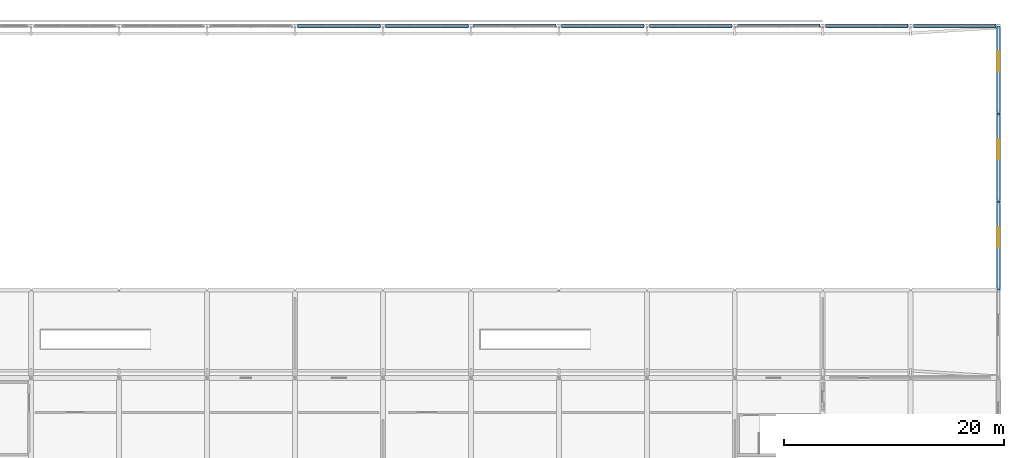
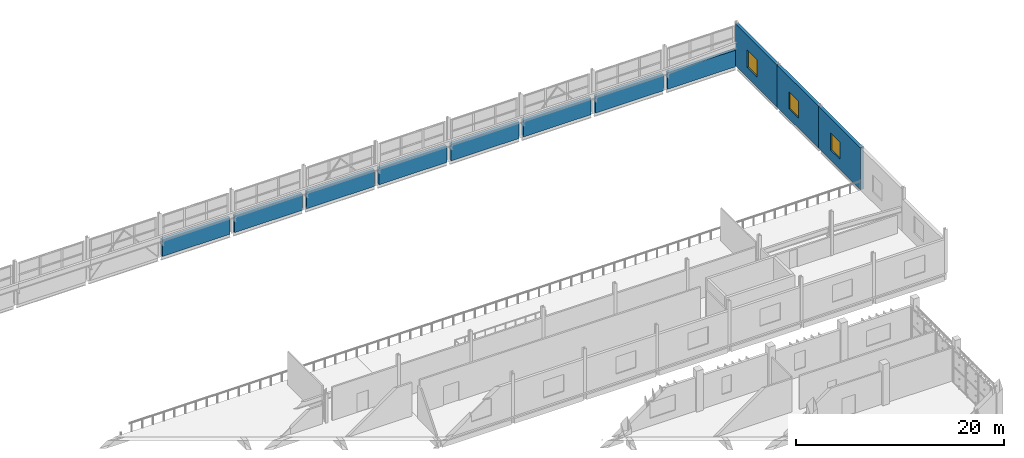
# One storey, part 92 of 106: 11 walls, 3 windows, 3 openings.
"""IFC4 building model written with IfcOpenShell, lengths in metres."""

from ifc_helpers import new_model, si_unit, direction, frame, frame_2d, origin, place, context, subcontext, project, spatial, rectangle, extrude, material, layer, layer_set, type_object, element, fill, save


model = new_model("IFC4")

# Units and contexts
model_context = context("Model", 3, precision=1e-05, world=origin(), true_north=direction((0.0, 1.0)))
body_context = subcontext(model_context, "Body", "Model", "MODEL_VIEW")
ifc_project = project(units=[si_unit("LENGTHUNIT", "METRE"), si_unit("AREAUNIT", "SQUARE_METRE"), si_unit("VOLUMEUNIT", "CUBIC_METRE"), si_unit("PLANEANGLEUNIT", "RADIAN"), si_unit("MASSUNIT", "GRAM", prefix="KILO")], contexts=[model_context])

# Site, building, storey
site_placement = place(None, origin())
site = spatial("IfcSite", under=ifc_project, at=site_placement, CompositionType="ELEMENT")
building_placement = place(site_placement, origin())
building = spatial("IfcBuilding", under=site, at=building_placement, Name="Jelvoka-Kovrelna Polytechnic", CompositionType="ELEMENT")
storey_placement = place(building_placement, frame((0.0, 0.0, 4.800048828125)))
storey = spatial("IfcBuildingStorey", under=building, at=storey_placement, Name="L02", CompositionType="ELEMENT", Elevation=4.800048828125)

# Walls
ifc_material_1 = material(Name="Precast concrete C40/50", Category="concrete")
ifc_layer = layer(ifc_material_1, 0.340087890625)
ifc_layer_set = layer_set([ifc_layer], Name="Precast concrete C40/50")
wall_type = type_object("IfcWallType", Name="Wall_Ext_Workshop_340", PredefinedType="STANDARD", material=ifc_layer_set)
for number, where, z_axis, x_axis, name in (
    (1, (136.239990234375, 120.0, 0.0), (0.0, 0.0, 1.0), (1.0, 0.0, 0.0), "L02 exterior wall 0906"),
    (2, (144.239990234375, 120.0, 0.0), (0.0, 0.0, 1.0), (1.0, 0.0, 0.0), "L02 exterior wall 0907"),
    (3, (152.239990234375, 120.0, 0.0), (0.0, 0.0, 1.0), (1.0, 0.0, 0.0), "L02 exterior wall 0908"),
    (4, (160.239990234375, 120.0, 0.0), (0.0, 0.0, 1.0), (1.0, 0.0, 0.0), "L02 exterior wall 0909"),
    (5, (168.239990234375, 120.0, 0.0), (0.0, 0.0, 1.0), (1.0, 0.0, 0.0), "L02 exterior wall 0910"),
    (6, (176.239990234375, 120.0, 0.0), (0.0, 0.0, 1.0), (1.0, 0.0, 0.0), "L02 exterior wall 0911"),
    (7, (184.239990234375, 120.0, 0.0), (0.0, 0.0, 1.0), (1.0, 0.0, 0.0), "L02 exterior wall 0912"),
    (8, (192.239990234375, 120.0, 0.0), (0.0, 0.0, 1.0), (1.0, 0.0, 0.0), "L02 exterior wall 0913"),
):
    element("IfcWall", number, at=place(storey_placement, frame(where, z_axis=z_axis, x_axis=x_axis)), inside=storey, type_object=wall_type, Name=name, PredefinedType="PARAPET", context=body_context, shape_type="SweptSolid", body=[
        extrude(rectangle(XDim=7.52001953125, YDim=0.340087890625, at=frame_2d((3.760009765625, 0.0))), origin(), (0.0, 0.0, 1.0), 1.949951171875),
    ])

# Wall, opening, window
wall_1_placement = place(storey_placement, frame((200.0, 103.99609375, 0.0), z_axis=(0.0, 0.0, 1.0), x_axis=(0.0, -1.0, 0.0)))
wall_1 = element("IfcWall", 9, at=wall_1_placement, inside=storey, type_object=wall_type, Name="L02 exterior wall 0916", PredefinedType="STANDARD", context=body_context, shape_type="SweptSolid", body=[
    extrude(rectangle(XDim=7.9921875, YDim=0.340087890625, at=frame_2d((3.99609375, 0.0))), origin(), (0.0, 0.0, 1.0), 4.919921875),
])
opening_1_placement = place(wall_1_placement, frame((2.27587890625, 0.0, 1.199951171875)))
opening_1 = element("IfcOpeningElement", 10, at=opening_1_placement, cuts=wall_1, Name="Opening W-L02-517", PredefinedType="OPENING", context=body_context, shape_type="SweptSolid", body=[
    extrude(rectangle(XDim=1.85009765625, YDim=2.0, at=frame_2d((0.925048828125, 1.0))), frame((0.0, 0.179931640625, 0.0), z_axis=(0.0, -1.0, 0.0), x_axis=(1.0, 0.0, 0.0)), (0.0, 0.0, 1.0), 0.360107421875),
])
ifc_material_2 = material(Name="Thermally broken anodised aluminium and low-e glazing", Category="aluminium")
window_type = type_object("IfcWindowType", Name="Win_Casement_W55", PartitioningType="DOUBLE_PANEL_VERTICAL", PredefinedType="WINDOW", material=ifc_material_2)
window_1_placement = place(opening_1_placement, origin())
window_1 = element("IfcWindow", 11, at=window_1_placement, inside=storey, type_object=window_type, Name="L02 aluminium casement window W-L02-517", OverallHeight=2.0, OverallWidth=1.85009765625, PartitioningType="DOUBLE_PANEL_VERTICAL", PredefinedType="WINDOW", context=body_context, shape_type="SweptSolid", body=[
    extrude(rectangle(XDim=1.85009765625, YDim=2.0, at=frame_2d((0.925048828125, 1.0))), frame((0.0, 0.030029296875, 0.0), z_axis=(0.0, -1.0, 0.0), x_axis=(1.0, 0.0, 0.0)), (0.0, 0.0, 1.0), 0.06005859375),
])
fill(opening_1, window_1)

wall_2_placement = place(storey_placement, frame((200.0, 111.99609375, 0.0), z_axis=(0.0, 0.0, 1.0), x_axis=(0.0, -1.0, 0.0)))
wall_2 = element("IfcWall", 12, at=wall_2_placement, inside=storey, type_object=wall_type, Name="L02 exterior wall 0917", PredefinedType="STANDARD", context=body_context, shape_type="SweptSolid", body=[
    extrude(rectangle(XDim=7.9921875, YDim=0.340087890625, at=frame_2d((3.99609375, 0.0))), origin(), (0.0, 0.0, 1.0), 4.919921875),
])
opening_2_placement = place(wall_2_placement, frame((2.27587890625, 0.0, 1.199951171875)))
opening_2 = element("IfcOpeningElement", 13, at=opening_2_placement, cuts=wall_2, Name="Opening W-L02-518", PredefinedType="OPENING", context=body_context, shape_type="SweptSolid", body=[
    extrude(rectangle(XDim=1.85009765625, YDim=2.0, at=frame_2d((0.925048828125, 1.0))), frame((0.0, 0.179931640625, 0.0), z_axis=(0.0, -1.0, 0.0), x_axis=(1.0, 0.0, 0.0)), (0.0, 0.0, 1.0), 0.360107421875),
])
window_2_placement = place(opening_2_placement, origin())
window_2 = element("IfcWindow", 14, at=window_2_placement, inside=storey, type_object=window_type, Name="L02 aluminium casement window W-L02-518", OverallHeight=2.0, OverallWidth=1.85009765625, PartitioningType="DOUBLE_PANEL_VERTICAL", PredefinedType="WINDOW", context=body_context, shape_type="SweptSolid", body=[
    extrude(rectangle(XDim=1.85009765625, YDim=2.0, at=frame_2d((0.925048828125, 1.0))), frame((0.0, 0.030029296875, 0.0), z_axis=(0.0, -1.0, 0.0), x_axis=(1.0, 0.0, 0.0)), (0.0, 0.0, 1.0), 0.06005859375),
])
fill(opening_2, window_2)

wall_3_placement = place(storey_placement, frame((200.0, 119.99609375, 0.0), z_axis=(0.0, 0.0, 1.0), x_axis=(0.0, -1.0, 0.0)))
wall_3 = element("IfcWall", 15, at=wall_3_placement, inside=storey, type_object=wall_type, Name="L02 exterior wall 0918", PredefinedType="STANDARD", context=body_context, shape_type="SweptSolid", body=[
    extrude(rectangle(XDim=7.9921875, YDim=0.340087890625, at=frame_2d((3.99609375, 0.0))), origin(), (0.0, 0.0, 1.0), 4.919921875),
])
opening_3_placement = place(wall_3_placement, frame((2.27587890625, 0.0, 1.199951171875)))
opening_3 = element("IfcOpeningElement", 16, at=opening_3_placement, cuts=wall_3, Name="Opening W-L02-519", PredefinedType="OPENING", context=body_context, shape_type="SweptSolid", body=[
    extrude(rectangle(XDim=1.85009765625, YDim=2.0, at=frame_2d((0.925048828125, 1.0))), frame((0.0, 0.179931640625, 0.0), z_axis=(0.0, -1.0, 0.0), x_axis=(1.0, 0.0, 0.0)), (0.0, 0.0, 1.0), 0.360107421875),
])
window_3_placement = place(opening_3_placement, origin())
window_3 = element("IfcWindow", 17, at=window_3_placement, inside=storey, type_object=window_type, Name="L02 aluminium casement window W-L02-519", OverallHeight=2.0, OverallWidth=1.85009765625, PartitioningType="DOUBLE_PANEL_VERTICAL", PredefinedType="WINDOW", context=body_context, shape_type="SweptSolid", body=[
    extrude(rectangle(XDim=1.85009765625, YDim=2.0, at=frame_2d((0.925048828125, 1.0))), frame((0.0, 0.030029296875, 0.0), z_axis=(0.0, -1.0, 0.0), x_axis=(1.0, 0.0, 0.0)), (0.0, 0.0, 1.0), 0.06005859375),
])
fill(opening_3, window_3)

save(model, "model.ifc")
